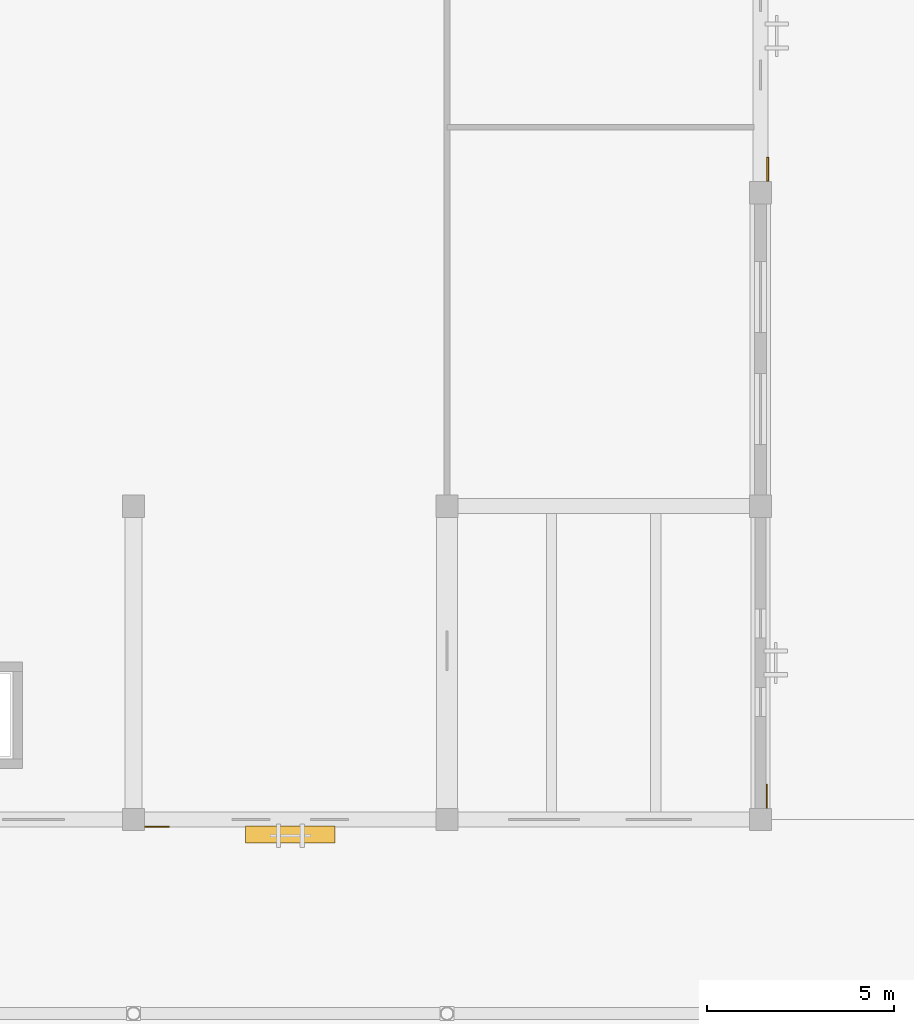
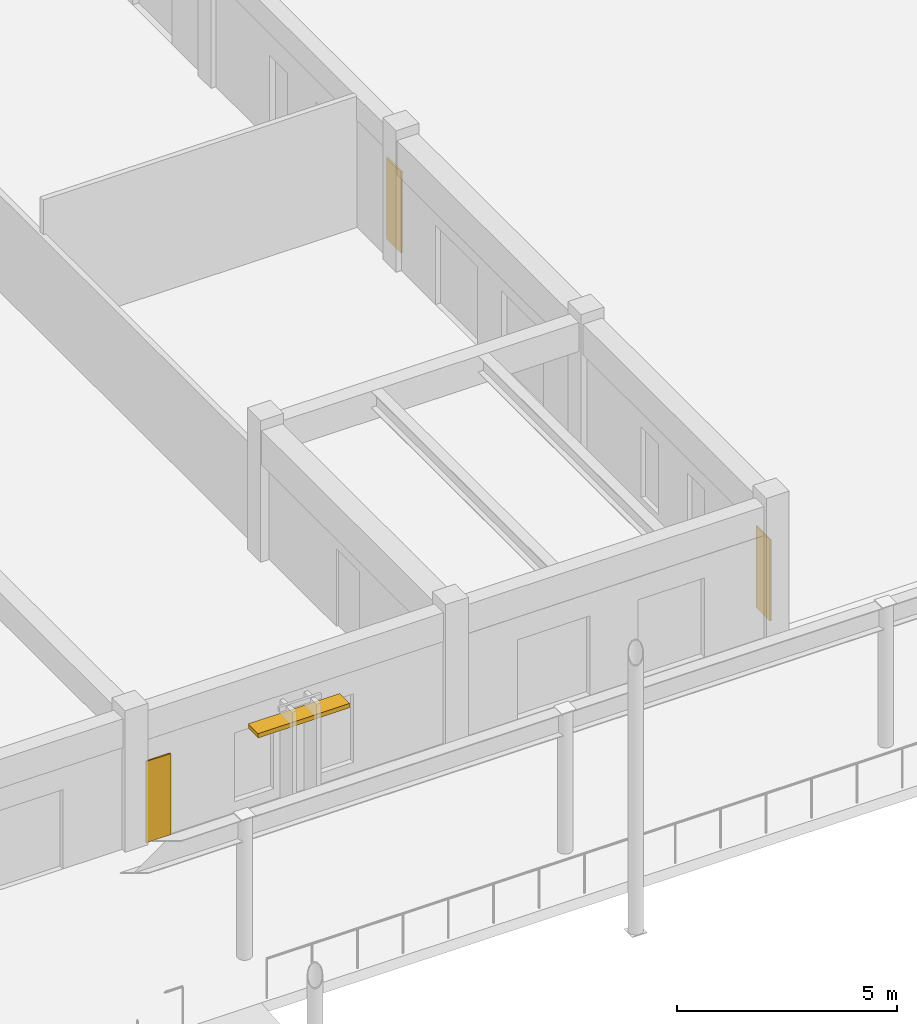
# One storey, part 110 of 135: 3 coverings, 1 shading device.
"""IFC4 building model written with IfcOpenShell, lengths in metres."""

from ifc_helpers import new_model, si_unit, direction, frame, origin, origin_2d, place, context, subcontext, project, spatial, polyline, rectangle, outline, extrude, material, layer, layer_set, type_object, element, save


model = new_model("IFC4")

# Units and contexts
model_context = context("Model", 3, precision=1e-05, world=origin(), true_north=direction((0.0, 1.0)))
body_context = subcontext(model_context, "Body", "Model", "MODEL_VIEW")
ifc_project = project(units=[si_unit("LENGTHUNIT", "METRE"), si_unit("AREAUNIT", "SQUARE_METRE"), si_unit("VOLUMEUNIT", "CUBIC_METRE"), si_unit("PLANEANGLEUNIT", "RADIAN"), si_unit("MASSUNIT", "GRAM", prefix="KILO")], contexts=[model_context])

# Site, building, storey
site_placement = place(None, origin())
site = spatial("IfcSite", under=ifc_project, at=site_placement, CompositionType="ELEMENT")
building_placement = place(site_placement, origin())
building = spatial("IfcBuilding", under=site, at=building_placement, Name="Cumbredor Promenade Congress Hotel", CompositionType="ELEMENT")
storey_placement = place(building_placement, origin())
storey = spatial("IfcBuildingStorey", under=building, at=storey_placement, Name="L00", CompositionType="ELEMENT", Elevation=0.0)

# Covering
ifc_material_1 = material(Name="Precast concrete C40/50", Category="concrete")
ifc_layer_1 = layer(ifc_material_1, 0.044921875, Name="Precast concrete C40/50", Category="concrete")
ifc_layer_set_1 = layer_set([ifc_layer_1], Name="Precast concrete C40/50")
covering_type_1 = type_object("IfcCoveringType", Name="Board-Formed Architectural Cladding Panel 45mm", PredefinedType="CLADDING", material=ifc_layer_set_1)
covering_1_placement = place(storey_placement, origin())
element("IfcCovering", 1, at=covering_1_placement, inside=storey, type_object=covering_type_1, Name="L00 Facade Stone Cladding Pier 024", PredefinedType="CLADDING", context=body_context, shape_type="SweptSolid", body=[
    extrude(outline(polyline([(109.375, 25.5009765625), (109.375, 26.15087890625), (109.419921875, 26.15087890625), (109.419921875, 25.5009765625), (109.375, 25.5009765625)])), origin(), (0.0, 0.0, 1.0), 2.25),
])

# Shading device
ifc_material_2 = material(Name="Thermally broken anodized aluminium", Category="aluminium")
shading_device_type = type_object("IfcShadingDeviceType", Name="Horizontal Bronze Jalousie Louvre JAL-01", PredefinedType="JALOUSIE", material=ifc_material_2)
shading_device_placement = place(storey_placement, frame((96.60009765625, 8.0, 2.2099609375), z_axis=(0.0, 0.0, 1.0), x_axis=(1.0, 0.0, 0.0)))
element("IfcShadingDevice", 2, at=shading_device_placement, inside=storey, type_object=shading_device_type, Name="L00 Horizontal Bronze Jalousie 012", PredefinedType="JALOUSIE", context=body_context, shape_type="SweptSolid", body=[
    extrude(rectangle(XDim=2.39990234375, YDim=0.449951171875, at=origin_2d()), origin(), (0.0, 0.0, 1.0), 0.1201171875),
])

# Coverings
ifc_material_3 = material(Name="Volcanic andesite ashlar cladding", Category="masonry")
ifc_layer_2 = layer(ifc_material_3, 0.034912109375, Name="Volcanic andesite ashlar cladding", Category="masonry")
ifc_layer_set_2 = layer_set([ifc_layer_2], Name="Volcanic andesite ashlar cladding")
covering_type_2 = type_object("IfcCoveringType", Name="Volcanic Andesite Ashlar Rainscreen Cladding 35mm", PredefinedType="CLADDING", material=ifc_layer_set_2)
covering_2_placement = place(storey_placement, origin())
element("IfcCovering", 3, at=covering_2_placement, inside=storey, type_object=covering_type_2, Name="L00 Facade Stone Cladding Pier 019", PredefinedType="CLADDING", context=body_context, shape_type="SweptSolid", body=[
    extrude(outline(polyline([(92.700927734375, 8.22509765625), (93.35107421875, 8.22509765625), (93.35107421875, 8.18994140625), (92.700927734375, 8.18994140625), (92.700927734375, 8.22509765625)])), origin(), (0.0, 0.0, 1.0), 2.25),
])
covering_3_placement = place(storey_placement, origin())
element("IfcCovering", 4, at=covering_3_placement, inside=storey, type_object=covering_type_2, Name="L00 Facade Stone Cladding Pier 023", PredefinedType="CLADDING", context=body_context, shape_type="SweptSolid", body=[
    extrude(outline(polyline([(109.35009765625, 8.700927734375), (109.35009765625, 9.35107421875), (109.385009765625, 9.35107421875), (109.385009765625, 8.700927734375), (109.35009765625, 8.700927734375)])), origin(), (0.0, 0.0, 1.0), 2.25),
])

save(model, "model.ifc")
